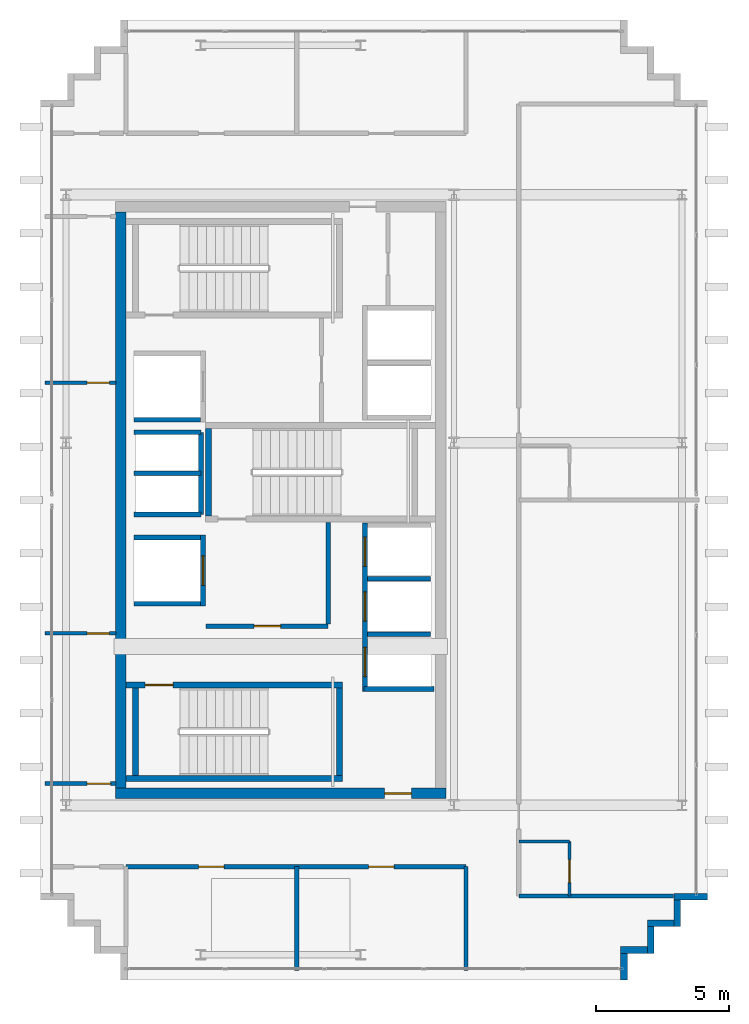
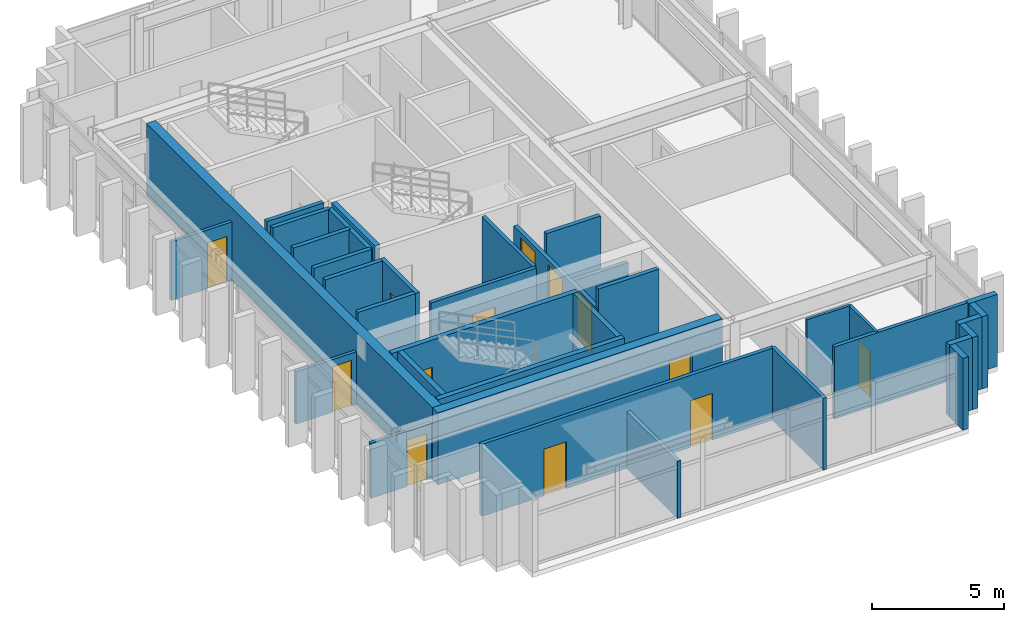
# One storey, part 12 of 15: 36 walls, 13 doors, 13 openings.
"""IFC4 building model written with IfcOpenShell, lengths in metres."""

from ifc_helpers import new_model, si_unit, direction, frame, frame_2d, origin, place, context, subcontext, project, spatial, rectangle, extrude, source, transform, mapped, material, layer, layer_set, type_object, element, fill, save


model = new_model("IFC4")

# Units and contexts
model_context = context("Model", 3, precision=1e-05, world=origin(), true_north=direction((0.0, 1.0)))
body_context = subcontext(model_context, "Body", "Model", "MODEL_VIEW")
ifc_project = project(units=[si_unit("LENGTHUNIT", "METRE"), si_unit("AREAUNIT", "SQUARE_METRE"), si_unit("VOLUMEUNIT", "CUBIC_METRE"), si_unit("PLANEANGLEUNIT", "RADIAN"), si_unit("MASSUNIT", "GRAM", prefix="KILO")], contexts=[model_context])

# Site, building, storey
site_placement = place(None, origin())
site = spatial("IfcSite", under=ifc_project, at=site_placement, CompositionType="ELEMENT")
building_placement = place(site_placement, origin())
building = spatial("IfcBuilding", under=site, at=building_placement, Name="Ocotamira Hotel", CompositionType="ELEMENT")
storey_placement = place(building_placement, frame((0.0, 0.0, 297.60009765625)))
storey = spatial("IfcBuildingStorey", under=building, at=storey_placement, Name="L76", CompositionType="ELEMENT", Elevation=297.60009765625)

# Wall, opening, door
ifc_material_1 = material(Name="Concrete C50/60", Category="concrete")
ifc_layer_1 = layer(ifc_material_1, 0.39990234375)
ifc_layer_set_1 = layer_set([ifc_layer_1], Name="Concrete C50/60")
wall_type_1 = type_object("IfcWallType", Name="WL-CORE-400", PredefinedType="SHEAR", material=ifc_layer_set_1)
wall_1_placement = place(storey_placement, frame((10.800048828125, 15.0, 0.0), z_axis=(0.0, 0.0, 1.0), x_axis=(1.0, 0.0, 0.0)))
wall_1 = element("IfcWall", 1, at=wall_1_placement, inside=storey, type_object=wall_type_1, Name="L76 Shear Core Wall WCORE-S", PredefinedType="SHEAR", context=body_context, shape_type="SweptSolid", body=[
    extrude(rectangle(XDim=12.39990234375, YDim=0.39990234375, at=frame_2d((6.199951171875, 0.0))), origin(), (0.0, 0.0, 1.0), 3.31982421875),
])
opening_1_placement = place(wall_1_placement, frame((10.10009765625, 0.0, 0.0)))
opening_1 = element("IfcOpeningElement", 2, at=opening_1_placement, cuts=wall_1, Name="Opening D-FR2", PredefinedType="OPENING", context=body_context, shape_type="SweptSolid", body=[
    extrude(rectangle(XDim=1.0, YDim=2.14990234375, at=frame_2d((0.5, 1.074951171875))), frame((0.0, 0.2099609375, 0.0), z_axis=(0.0, -1.0, 0.0), x_axis=(1.0, 0.0, 0.0)), (0.0, 0.0, 1.0), 0.419921875),
])
ifc_material_2 = material(Name="Fire-rated acoustic timber-veneer door", Category="wood")
door_type_1 = type_object("IfcDoorType", Name="DR-FIRE-1000", OperationType="NOTDEFINED", PredefinedType="DOOR", material=ifc_material_2)
shared_shape_1 = source(origin(), body_context, "Body", "SweptSolid", [
    extrude(rectangle(XDim=1.0, YDim=2.14990234375, at=frame_2d((0.5, 1.074951171875))), frame((0.0, 0.02490234375, 0.0), z_axis=(0.0, -1.0, 0.0), x_axis=(1.0, 0.0, 0.0)), (0.0, 0.0, 1.0), 0.050048828125),
])
door_1_placement = place(opening_1_placement, origin())
door_1 = element("IfcDoor", 3, at=door_1_placement, inside=storey, type_object=door_type_1, Name="L76 Door ID-L76-WLOB-S-D [ID-L76-WLOB-S-D]", OperationType="SINGLE_SWING_LEFT", OverallHeight=2.14990234375, OverallWidth=1.0, PredefinedType="DOOR", context=body_context, shape_type="MappedRepresentation", body=[
    mapped(shared_shape_1, transform((0.0, 0.0, 0.0), scale=1.0)),
])
fill(opening_1, door_1)

# Walls
wall_2_placement = place(storey_placement, frame((11.0, 15.199951171875, 0.0), z_axis=(0.0, 0.0, 1.0), x_axis=(0.0, 1.0, 0.0)))
element("IfcWall", 4, at=wall_2_placement, inside=storey, type_object=wall_type_1, Name="L76 Shear Core Wall WCORE-W", PredefinedType="SHEAR", context=body_context, shape_type="SweptSolid", body=[
    extrude(rectangle(XDim=21.60009765625, YDim=0.39990234375, at=frame_2d((10.800048828125, 0.0))), origin(), (0.0, 0.0, 1.0), 3.31982421875),
])
ifc_material_3 = material(Name="Precast concrete C45/55", Category="concrete")
ifc_layer_2 = layer(ifc_material_3, 0.25)
ifc_layer_set_2 = layer_set([ifc_layer_2], Name="Precast concrete C45/55")
wall_type_2 = type_object("IfcWallType", Name="WL-EXT-SER-250", PredefinedType="SOLIDWALL", material=ifc_layer_set_2)
for number, where, z_axis, x_axis, name in (
    (5, (29.875, 8.0, 0.0), (0.0, 0.0, 1.0), (0.0, 1.0, 0.0), "L76 Serrated Corner Wall 01"),
    (6, (29.75, 9.125, 0.0), (0.0, 0.0, 1.0), (1.0, 0.0, 0.0), "L76 Serrated Corner Wall 02"),
    (7, (30.875, 9.0, 0.0), (0.0, 0.0, 1.0), (0.0, 1.0, 0.0), "L76 Serrated Corner Wall 03"),
    (8, (30.75, 10.125, 0.0), (0.0, 0.0, 1.0), (1.0, 0.0, 0.0), "L76 Serrated Corner Wall 04"),
    (9, (31.875, 10.0, 0.0), (0.0, 0.0, 1.0), (0.0, 1.0, 0.0), "L76 Serrated Corner Wall 05"),
):
    element("IfcWall", number, at=place(storey_placement, frame(where, z_axis=z_axis, x_axis=x_axis)), inside=storey, type_object=wall_type_2, Name=name, PredefinedType="SOLIDWALL", context=body_context, shape_type="SweptSolid", body=[
        extrude(rectangle(XDim=1.0, YDim=0.25, at=frame_2d((0.5, 0.0))), origin(), (0.0, 0.0, 1.0), 3.31982421875),
    ])
wall_3_placement = place(storey_placement, frame((31.75, 11.125, 0.0), z_axis=(0.0, 0.0, 1.0), x_axis=(1.0, 0.0, 0.0)))
element("IfcWall", 10, at=wall_3_placement, inside=storey, type_object=wall_type_2, Name="L76 Serrated Corner Wall 06", PredefinedType="SOLIDWALL", context=body_context, shape_type="SweptSolid", body=[
    extrude(rectangle(XDim=1.25, YDim=0.25, at=frame_2d((0.625, 0.0))), origin(), (0.0, 0.0, 1.0), 3.31982421875),
])

# Wall, opening, door
ifc_material_4 = material(Name="Acoustic double-layer fire gypsum board partition", Category="gypsum")
ifc_layer_3 = layer(ifc_material_4, 0.159912109375)
ifc_layer_set_3 = layer_set([ifc_layer_3], Name="Acoustic double-layer fire gypsum board partition")
wall_type_3 = type_object("IfcWallType", Name="WL-FIRE-160", PredefinedType="PARTITIONING", material=ifc_layer_set_3)
wall_4_placement = place(storey_placement, frame((14.199951171875, 21.27001953125, 0.0), z_axis=(0.0, 0.0, 1.0), x_axis=(1.0, 0.0, 0.0)))
wall_4 = element("IfcWall", 11, at=wall_4_placement, inside=storey, type_object=wall_type_3, Name="L76 Interior Wall PW-L76-FSAE1-S", PredefinedType="PARTITIONING", context=body_context, shape_type="SweptSolid", body=[
    extrude(rectangle(XDim=4.580078125, YDim=0.159912109375, at=frame_2d((2.2900390625, 0.0))), origin(), (0.0, 0.0, 1.0), 3.31982421875),
])
opening_2_placement = place(wall_4_placement, frame((1.800048828125, 0.0, 0.0)))
opening_2 = element("IfcOpeningElement", 12, at=opening_2_placement, cuts=wall_4, Name="Opening D-FR2", PredefinedType="OPENING", context=body_context, shape_type="SweptSolid", body=[
    extrude(rectangle(XDim=1.0, YDim=2.14990234375, at=frame_2d((0.5, 1.074951171875))), frame((0.0, 0.08984375, 0.0), z_axis=(0.0, -1.0, 0.0), x_axis=(1.0, 0.0, 0.0)), (0.0, 0.0, 1.0), 0.179931640625),
])
door_2_placement = place(opening_2_placement, origin())
door_2 = element("IfcDoor", 13, at=door_2_placement, inside=storey, type_object=door_type_1, Name="L76 Door ID-L76-FSAE1-D [ID-L76-FSAE1-D]", OperationType="SINGLE_SWING_LEFT", OverallHeight=2.14990234375, OverallWidth=1.0, PredefinedType="DOOR", context=body_context, shape_type="MappedRepresentation", body=[
    mapped(shared_shape_1, transform((0.0, 0.0, 0.0), scale=1.0)),
])
fill(opening_2, door_2)

# Wall
wall_5_placement = place(storey_placement, frame((18.780029296875, 21.35009765625, 0.0), z_axis=(0.0, 0.0, 1.0), x_axis=(0.0, 1.0, 0.0)))
element("IfcWall", 14, at=wall_5_placement, inside=storey, type_object=wall_type_3, Name="L76 Interior Wall PW-L76-FSAE1-E", PredefinedType="PARTITIONING", context=body_context, shape_type="SweptSolid", body=[
    extrude(rectangle(XDim=3.809814453125, YDim=0.159912109375, at=frame_2d((1.90478515625, 0.0))), origin(), (0.0, 0.0, 1.0), 3.31982421875),
])

# Wall, openings, doors
wall_6_placement = place(storey_placement, frame((11.199951171875, 12.25, 0.0), z_axis=(0.0, 0.0, 1.0), x_axis=(1.0, 0.0, 0.0)))
wall_6 = element("IfcWall", 15, at=wall_6_placement, inside=storey, type_object=wall_type_3, Name="L76 Interior Wall PW-L76-WP2S-CORRW", PredefinedType="PARTITIONING", context=body_context, shape_type="SweptSolid", body=[
    extrude(rectangle(XDim=12.75, YDim=0.159912109375, at=frame_2d((6.375, 0.0))), origin(), (0.0, 0.0, 1.0), 3.31982421875),
])
opening_3_placement = place(wall_6_placement, frame((2.719970703125, 0.0, 0.0)))
opening_3 = element("IfcOpeningElement", 16, at=opening_3_placement, cuts=wall_6, Name="Opening D-SV4", PredefinedType="OPENING", context=body_context, shape_type="SweptSolid", body=[
    extrude(rectangle(XDim=0.9599609375, YDim=2.14990234375, at=frame_2d((0.47998046875, 1.074951171875))), frame((0.0, 0.08984375, 0.0), z_axis=(0.0, -1.0, 0.0), x_axis=(1.0, 0.0, 0.0)), (0.0, 0.0, 1.0), 0.179931640625),
])
opening_4_placement = place(wall_6_placement, frame((9.094970703125, 0.0, 0.0)))
opening_4 = element("IfcOpeningElement", 17, at=opening_4_placement, cuts=wall_6, Name="Opening D-SV4", PredefinedType="OPENING", context=body_context, shape_type="SweptSolid", body=[
    extrude(rectangle(XDim=0.9599609375, YDim=2.14990234375, at=frame_2d((0.47998046875, 1.074951171875))), frame((0.0, 0.08984375, 0.0), z_axis=(0.0, -1.0, 0.0), x_axis=(1.0, 0.0, 0.0)), (0.0, 0.0, 1.0), 0.179931640625),
])
ifc_material_5 = material(Name="Fire-rated accessible walnut salon door", Category="wood")
door_type_2 = type_object("IfcDoorType", Name="DR-SERV-960", OperationType="NOTDEFINED", PredefinedType="DOOR", material=ifc_material_5)
shared_shape_2 = source(origin(), body_context, "Body", "SweptSolid", [
    extrude(rectangle(XDim=0.9599609375, YDim=2.14990234375, at=frame_2d((0.47998046875, 1.074951171875))), frame((0.0, 0.02490234375, 0.0), z_axis=(0.0, -1.0, 0.0), x_axis=(1.0, 0.0, 0.0)), (0.0, 0.0, 1.0), 0.050048828125),
])
door_3_placement = place(opening_3_placement, origin())
door_3 = element("IfcDoor", 18, at=door_3_placement, inside=storey, type_object=door_type_2, Name="L76 Door ID-L76-WP2S-AMD1 [ID-L76-WP2S-AMD1]", OperationType="SINGLE_SWING_LEFT", OverallHeight=2.14990234375, OverallWidth=0.9599609375, PredefinedType="DOOR", context=body_context, shape_type="MappedRepresentation", body=[
    mapped(shared_shape_2, transform((0.0, 0.0, 0.0), scale=1.0)),
])
fill(opening_3, door_3)
door_4_placement = place(opening_4_placement, origin())
door_4 = element("IfcDoor", 19, at=door_4_placement, inside=storey, type_object=door_type_2, Name="L76 Door ID-L76-WP2S-AMD2 [ID-L76-WP2S-AMD2]", OperationType="SINGLE_SWING_RIGHT", OverallHeight=2.14990234375, OverallWidth=0.9599609375, PredefinedType="DOOR", context=body_context, shape_type="MappedRepresentation", body=[
    mapped(shared_shape_2, transform((0.0, 0.0, 0.0), scale=1.0)),
])
fill(opening_4, door_4)

# Wall, opening, door
ifc_material_6 = material(Name="Moisture-resistant en-suite tile and gypsum partition", Category="gypsum")
ifc_layer_4 = layer(ifc_material_6, 0.1201171875)
ifc_layer_set_4 = layer_set([ifc_layer_4], Name="Moisture-resistant en-suite tile and gypsum partition")
wall_type_4 = type_object("IfcWallType", Name="WL-PART-120", PredefinedType="PARTITIONING", material=ifc_layer_set_4)
wall_7_placement = place(storey_placement, frame((27.830078125, 11.14990234375, 0.0), z_axis=(0.0, 0.0, 1.0), x_axis=(0.0, 1.0, 0.0)))
wall_7 = element("IfcWall", 20, at=wall_7_placement, inside=storey, type_object=wall_type_4, Name="L76 Interior Wall PW-L76-WP-EBE1", PredefinedType="PARTITIONING", context=body_context, shape_type="SweptSolid", body=[
    extrude(rectangle(XDim=2.0400390625, YDim=0.1201171875, at=frame_2d((1.02001953125, 0.0))), origin(), (0.0, 0.0, 1.0), 3.31982421875),
])
opening_5_placement = place(wall_7_placement, frame((0.5, 0.0, 0.0)))
opening_5 = element("IfcOpeningElement", 21, at=opening_5_placement, cuts=wall_7, Name="Opening D-BA1", PredefinedType="OPENING", context=body_context, shape_type="SweptSolid", body=[
    extrude(rectangle(XDim=0.860107421875, YDim=2.10009765625, at=frame_2d((0.43017578125, 1.050048828125))), frame((0.0, 0.070068359375, 0.0), z_axis=(0.0, -1.0, 0.0), x_axis=(1.0, 0.0, 0.0)), (0.0, 0.0, 1.0), 0.14013671875),
])
ifc_material_7 = material(Name="Moisture-sealed en-suite timber door", Category="wood")
door_type_3 = type_object("IfcDoorType", Name="DR-BATH-860", OperationType="NOTDEFINED", PredefinedType="DOOR", material=ifc_material_7)
shared_shape_3 = source(origin(), body_context, "Body", "SweptSolid", [
    extrude(rectangle(XDim=0.860107421875, YDim=2.10009765625, at=frame_2d((0.43017578125, 1.050048828125))), frame((0.0, 0.02490234375, 0.0), z_axis=(0.0, -1.0, 0.0), x_axis=(1.0, 0.0, 0.0)), (0.0, 0.0, 1.0), 0.050048828125),
])
door_5_placement = place(opening_5_placement, origin())
door_5 = element("IfcDoor", 22, at=door_5_placement, inside=storey, type_object=door_type_3, Name="L76 Door ID-L76-WP-EBD1 [ID-L76-WP-EBD1]", OperationType="SINGLE_SWING_LEFT", OverallHeight=2.10009765625, OverallWidth=0.860107421875, PredefinedType="DOOR", context=body_context, shape_type="MappedRepresentation", body=[
    mapped(shared_shape_3, transform((0.0, 0.0, 0.0), scale=1.0)),
])
fill(opening_5, door_5)

# Wall
wall_8_placement = place(storey_placement, frame((25.929931640625, 13.18994140625, 0.0), z_axis=(0.0, 0.0, 1.0), x_axis=(1.0, 0.0, 0.0)))
element("IfcWall", 23, at=wall_8_placement, inside=storey, type_object=wall_type_4, Name="L76 Interior Wall PW-L76-WP-EBN1", PredefinedType="PARTITIONING", context=body_context, shape_type="SweptSolid", body=[
    extrude(rectangle(XDim=1.900146484375, YDim=0.1201171875, at=frame_2d((0.9501953125, 0.0))), origin(), (0.0, 0.0, 1.0), 3.31982421875),
])

# Wall, opening, door
ifc_material_8 = material(Name="Acoustic hospitality gypsum board partition", Category="gypsum")
ifc_layer_5 = layer(ifc_material_8, 0.14208984375)
ifc_layer_set_5 = layer_set([ifc_layer_5], Name="Acoustic hospitality gypsum board partition")
wall_type_5 = type_object("IfcWallType", Name="WL-PART-142", PredefinedType="PARTITIONING", material=ifc_layer_set_5)
wall_9_placement = place(storey_placement, frame((8.159912109375, 21.0, 0.0), z_axis=(0.0, 0.0, 1.0), x_axis=(1.0, 0.0, 0.0)))
wall_9 = element("IfcWall", 24, at=wall_9_placement, inside=storey, type_object=wall_type_5, Name="L76 Interior Wall PW-L76-WP2W-DV1", PredefinedType="PARTITIONING", context=body_context, shape_type="SweptSolid", body=[
    extrude(rectangle(XDim=2.66015625, YDim=0.14208984375, at=frame_2d((1.330078125, 0.0))), origin(), (0.0, 0.0, 1.0), 2.419921875),
])
opening_6_placement = place(wall_9_placement, frame((1.580078125, 0.0, 0.0)))
opening_6 = element("IfcOpeningElement", 25, at=opening_6_placement, cuts=wall_9, Name="Opening D-SV1", PredefinedType="OPENING", context=body_context, shape_type="SweptSolid", body=[
    extrude(rectangle(XDim=0.840087890625, YDim=2.10009765625, at=frame_2d((0.419921875, 1.050048828125))), frame((0.0, 0.0810546875, 0.0), z_axis=(0.0, -1.0, 0.0), x_axis=(1.0, 0.0, 0.0)), (0.0, 0.0, 1.0), 0.162109375),
])
ifc_material_9 = material(Name="Fire-rated painted steel service door", Category="steel")
door_type_4 = type_object("IfcDoorType", Name="DR-SERV-840", OperationType="NOTDEFINED", PredefinedType="DOOR", material=ifc_material_9)
shared_shape_4 = source(origin(), body_context, "Body", "SweptSolid", [
    extrude(rectangle(XDim=0.840087890625, YDim=2.10009765625, at=frame_2d((0.419921875, 1.050048828125))), frame((0.0, 0.02490234375, 0.0), z_axis=(0.0, -1.0, 0.0), x_axis=(1.0, 0.0, 0.0)), (0.0, 0.0, 1.0), 0.050048828125),
])
door_6_placement = place(opening_6_placement, origin())
door_6 = element("IfcDoor", 26, at=door_6_placement, inside=storey, type_object=door_type_4, Name="L76 Door ID-L76-WP2W-DV1D [ID-L76-WP2W-DV1D]", OperationType="SINGLE_SWING_LEFT", OverallHeight=2.10009765625, OverallWidth=0.840087890625, PredefinedType="DOOR", context=body_context, shape_type="MappedRepresentation", body=[
    mapped(shared_shape_4, transform((0.0, 0.0, 0.0), scale=1.0)),
])
fill(opening_6, door_6)

wall_10_placement = place(storey_placement, frame((8.159912109375, 30.39990234375, 0.0), z_axis=(0.0, 0.0, 1.0), x_axis=(1.0, 0.0, 0.0)))
wall_10 = element("IfcWall", 27, at=wall_10_placement, inside=storey, type_object=wall_type_5, Name="L76 Interior Wall PW-L76-WP2W-DV2", PredefinedType="PARTITIONING", context=body_context, shape_type="SweptSolid", body=[
    extrude(rectangle(XDim=2.66015625, YDim=0.14208984375, at=frame_2d((1.330078125, 0.0))), origin(), (0.0, 0.0, 1.0), 2.702880859375),
])
opening_7_placement = place(wall_10_placement, frame((1.580078125, 0.0, 0.0)))
opening_7 = element("IfcOpeningElement", 28, at=opening_7_placement, cuts=wall_10, Name="Opening D-SV1", PredefinedType="OPENING", context=body_context, shape_type="SweptSolid", body=[
    extrude(rectangle(XDim=0.840087890625, YDim=2.10009765625, at=frame_2d((0.419921875, 1.050048828125))), frame((0.0, 0.0810546875, 0.0), z_axis=(0.0, -1.0, 0.0), x_axis=(1.0, 0.0, 0.0)), (0.0, 0.0, 1.0), 0.162109375),
])
door_7_placement = place(opening_7_placement, origin())
door_7 = element("IfcDoor", 29, at=door_7_placement, inside=storey, type_object=door_type_4, Name="L76 Door ID-L76-WP2W-DV2D [ID-L76-WP2W-DV2D]", OperationType="SINGLE_SWING_RIGHT", OverallHeight=2.10009765625, OverallWidth=0.840087890625, PredefinedType="DOOR", context=body_context, shape_type="MappedRepresentation", body=[
    mapped(shared_shape_4, transform((0.0, 0.0, 0.0), scale=1.0)),
])
fill(opening_7, door_7)

ifc_layer_6 = layer(ifc_material_8, 0.14990234375)
ifc_layer_set_6 = layer_set([ifc_layer_6], Name="Acoustic hospitality gypsum board partition")
wall_type_6 = type_object("IfcWallType", Name="WL-PART-150", PredefinedType="PARTITIONING", material=ifc_layer_set_6)
wall_11_placement = place(storey_placement, frame((8.159912109375, 15.360107421875, 0.0), z_axis=(0.0, 0.0, 1.0), x_axis=(1.0, 0.0, 0.0)))
wall_11 = element("IfcWall", 30, at=wall_11_placement, inside=storey, type_object=wall_type_6, Name="L76 Interior Wall PW-L76-WP2W-WS", PredefinedType="PARTITIONING", context=body_context, shape_type="SweptSolid", body=[
    extrude(rectangle(XDim=2.66015625, YDim=0.14990234375, at=frame_2d((1.330078125, 0.0))), origin(), (0.0, 0.0, 1.0), 2.541015625),
])
opening_8_placement = place(wall_11_placement, frame((1.580078125, 0.0, 0.0)))
opening_8 = element("IfcOpeningElement", 31, at=opening_8_placement, cuts=wall_11, Name="Opening D-SV2", PredefinedType="OPENING", context=body_context, shape_type="SweptSolid", body=[
    extrude(rectangle(XDim=0.8798828125, YDim=2.14990234375, at=frame_2d((0.43994140625, 1.074951171875))), frame((0.0, 0.0849609375, 0.0), z_axis=(0.0, -1.0, 0.0), x_axis=(1.0, 0.0, 0.0)), (0.0, 0.0, 1.0), 0.169921875),
])
door_type_5 = type_object("IfcDoorType", Name="DR-SERV-880", OperationType="NOTDEFINED", PredefinedType="DOOR", material=ifc_material_9)
shared_shape_5 = source(origin(), body_context, "Body", "SweptSolid", [
    extrude(rectangle(XDim=0.8798828125, YDim=2.14990234375, at=frame_2d((0.43994140625, 1.074951171875))), frame((0.0, 0.02490234375, 0.0), z_axis=(0.0, -1.0, 0.0), x_axis=(1.0, 0.0, 0.0)), (0.0, 0.0, 1.0), 0.050048828125),
])
door_8_placement = place(opening_8_placement, origin())
door_8 = element("IfcDoor", 32, at=door_8_placement, inside=storey, type_object=door_type_5, Name="L76 Door ID-L76-WP2W-DS [ID-L76-WP2W-DS]", OperationType="SINGLE_SWING_LEFT", OverallHeight=2.14990234375, OverallWidth=0.8798828125, PredefinedType="DOOR", context=body_context, shape_type="MappedRepresentation", body=[
    mapped(shared_shape_5, transform((0.0, 0.0, 0.0), scale=1.0)),
])
fill(opening_8, door_8)

# Walls
ifc_material_10 = material(Name="Acoustic double-stud hospitality gypsum partition", Category="gypsum")
ifc_layer_7 = layer(ifc_material_10, 0.159912109375)
ifc_layer_set_7 = layer_set([ifc_layer_7], Name="Acoustic double-stud hospitality gypsum partition")
wall_type_7 = type_object("IfcWallType", Name="WL-PART-160", PredefinedType="PARTITIONING", material=ifc_layer_set_7)
wall_12_placement = place(storey_placement, frame((23.949951171875, 8.360107421875, 0.0), z_axis=(0.0, 0.0, 1.0), x_axis=(0.0, 1.0, 0.0)))
element("IfcWall", 33, at=wall_12_placement, inside=storey, type_object=wall_type_7, Name="L76 Interior Wall PW-L76-WP2S-PWEND", PredefinedType="PARTITIONING", context=body_context, shape_type="SweptSolid", body=[
    extrude(rectangle(XDim=3.889892578125, YDim=0.159912109375, at=frame_2d((1.94482421875, 0.0))), origin(), (0.0, 0.0, 1.0), 3.31982421875),
])
wall_13_placement = place(storey_placement, frame((17.60009765625, 8.360107421875, 0.0), z_axis=(0.0, 0.0, 1.0), x_axis=(0.0, 1.0, 0.0)))
element("IfcWall", 34, at=wall_13_placement, inside=storey, type_object=wall_type_7, Name="L76 Interior Wall PW-L76-WP2S-PW1", PredefinedType="PARTITIONING", context=body_context, shape_type="SweptSolid", body=[
    extrude(rectangle(XDim=3.889892578125, YDim=0.159912109375, at=frame_2d((1.94482421875, 0.0))), origin(), (0.0, 0.0, 1.0), 2.626953125),
])
wall_14_placement = place(storey_placement, frame((25.929931640625, 11.14990234375, 0.0), z_axis=(0.0, 0.0, 1.0), x_axis=(1.0, 0.0, 0.0)))
element("IfcWall", 35, at=wall_14_placement, inside=storey, type_object=wall_type_7, Name="L76 Interior Wall PW-L76-WP-EDIV0", PredefinedType="PARTITIONING", context=body_context, shape_type="SweptSolid", body=[
    extrude(rectangle(XDim=5.81005859375, YDim=0.159912109375, at=frame_2d((2.905029296875, 0.0))), origin(), (0.0, 0.0, 1.0), 3.31982421875),
])

# Wall, openings, doors
ifc_material_11 = material(Name="Fire-rated gypsum shaftliner board assembly", Category="gypsum")
ifc_layer_8 = layer(ifc_material_11, 0.179931640625)
ifc_layer_set_8 = layer_set([ifc_layer_8], Name="Fire-rated gypsum shaftliner board assembly")
wall_type_8 = type_object("IfcWallType", Name="WL-SHAFT-180", PredefinedType="SOLIDWALL", material=ifc_layer_set_8)
wall_15_placement = place(storey_placement, frame((20.159912109375, 18.820068359375, 0.0), z_axis=(0.0, 0.0, 1.0), x_axis=(0.0, 1.0, 0.0)))
wall_15 = element("IfcWall", 36, at=wall_15_placement, inside=storey, type_object=wall_type_8, Name="L76 Interior Wall PW-L76-LFW-BANK-high-F", PredefinedType="SOLIDWALL", context=body_context, shape_type="SweptSolid", body=[
    extrude(rectangle(XDim=6.31982421875, YDim=0.179931640625, at=frame_2d((3.159912109375, 0.0))), origin(), (0.0, 0.0, 1.0), 2.419921875),
])
opening_9_placement = place(wall_15_placement, frame((0.554931640625, 0.0, 0.0)))
opening_9 = element("IfcOpeningElement", 37, at=opening_9_placement, cuts=wall_15, Name="Opening LD-LF-P7", PredefinedType="OPENING", context=body_context, shape_type="SweptSolid", body=[
    extrude(rectangle(XDim=1.10009765625, YDim=2.199951171875, at=frame_2d((0.550048828125, 1.10009765625))), frame((0.0, 0.10009765625, 0.0), z_axis=(0.0, -1.0, 0.0), x_axis=(1.0, 0.0, 0.0)), (0.0, 0.0, 1.0), 0.199951171875),
])
opening_10_placement = place(wall_15_placement, frame((2.635009765625, 0.0, 0.0)))
opening_10 = element("IfcOpeningElement", 38, at=opening_10_placement, cuts=wall_15, Name="Opening LD-LF-P8", PredefinedType="OPENING", context=body_context, shape_type="SweptSolid", body=[
    extrude(rectangle(XDim=1.10009765625, YDim=2.199951171875, at=frame_2d((0.550048828125, 1.10009765625))), frame((0.0, 0.10009765625, 0.0), z_axis=(0.0, -1.0, 0.0), x_axis=(1.0, 0.0, 0.0)), (0.0, 0.0, 1.0), 0.199951171875),
])
opening_11_placement = place(wall_15_placement, frame((4.68994140625, 0.0, 0.0)))
opening_11 = element("IfcOpeningElement", 39, at=opening_11_placement, cuts=wall_15, Name="Opening LD-LF-P9", PredefinedType="OPENING", context=body_context, shape_type="SweptSolid", body=[
    extrude(rectangle(XDim=1.10009765625, YDim=2.199951171875, at=frame_2d((0.550048828125, 1.10009765625))), frame((0.0, 0.10009765625, 0.0), z_axis=(0.0, -1.0, 0.0), x_axis=(1.0, 0.0, 0.0)), (0.0, 0.0, 1.0), 0.199951171875),
])
ifc_material_12 = material(Name="Brushed pale-metal stainless elevator landing door", Category="steel")
door_type_6 = type_object("IfcDoorType", Name="DR-LIFT-1100", OperationType="NOTDEFINED", PredefinedType="DOOR", material=ifc_material_12)
shared_shape_6 = source(origin(), body_context, "Body", "SweptSolid", [
    extrude(rectangle(XDim=1.10009765625, YDim=2.199951171875, at=frame_2d((0.550048828125, 1.10009765625))), frame((0.0, 0.02490234375, 0.0), z_axis=(0.0, -1.0, 0.0), x_axis=(1.0, 0.0, 0.0)), (0.0, 0.0, 1.0), 0.050048828125),
])
door_9_placement = place(opening_9_placement, origin())
door_9 = element("IfcDoor", 40, at=door_9_placement, inside=storey, type_object=door_type_6, Name="L76 Landing Door LD-LF-P7 [ID-L76-LD-LF-P7]", OperationType="DOUBLE_DOOR_SLIDING", OverallHeight=2.199951171875, OverallWidth=1.10009765625, PredefinedType="DOOR", context=body_context, shape_type="MappedRepresentation", body=[
    mapped(shared_shape_6, transform((0.0, 0.0, 0.0), scale=1.0)),
])
fill(opening_9, door_9)
door_10_placement = place(opening_10_placement, origin())
door_10 = element("IfcDoor", 41, at=door_10_placement, inside=storey, type_object=door_type_6, Name="L76 Landing Door LD-LF-P8 [ID-L76-LD-LF-P8]", OperationType="DOUBLE_DOOR_SLIDING", OverallHeight=2.199951171875, OverallWidth=1.10009765625, PredefinedType="DOOR", context=body_context, shape_type="MappedRepresentation", body=[
    mapped(shared_shape_6, transform((0.0, 0.0, 0.0), scale=1.0)),
])
fill(opening_10, door_10)
door_11_placement = place(opening_11_placement, origin())
door_11 = element("IfcDoor", 42, at=door_11_placement, inside=storey, type_object=door_type_6, Name="L76 Landing Door LD-LF-P9 [ID-L76-LD-LF-P9]", OperationType="DOUBLE_DOOR_SLIDING", OverallHeight=2.199951171875, OverallWidth=1.10009765625, PredefinedType="DOOR", context=body_context, shape_type="MappedRepresentation", body=[
    mapped(shared_shape_6, transform((0.0, 0.0, 0.0), scale=1.0)),
])
fill(opening_11, door_11)

# Walls
wall_16_placement = place(storey_placement, frame((20.1201171875, 18.909912109375, 0.0), z_axis=(0.0, 0.0, 1.0), x_axis=(1.0, 0.0, 0.0)))
element("IfcWall", 43, at=wall_16_placement, inside=storey, type_object=wall_type_8, Name="L76 Interior Wall PW-L76-LFW-BANK-high-S", PredefinedType="SOLIDWALL", context=body_context, shape_type="SweptSolid", body=[
    extrude(rectangle(XDim=2.6298828125, YDim=0.179931640625, at=frame_2d((1.31494140625, 0.0))), origin(), (0.0, 0.0, 1.0), 3.31982421875),
])
wall_17_placement = place(storey_placement, frame((20.25, 20.965087890625, 0.0), z_axis=(0.0, 0.0, 1.0), x_axis=(1.0, 0.0, 0.0)))
element("IfcWall", 44, at=wall_17_placement, inside=storey, type_object=wall_type_8, Name="L76 Interior Wall PW-L76-LFW-DIV-LF-P7", PredefinedType="SOLIDWALL", context=body_context, shape_type="SweptSolid", body=[
    extrude(rectangle(XDim=2.360107421875, YDim=0.179931640625, at=frame_2d((1.18017578125, 0.0))), origin(), (0.0, 0.0, 1.0), 2.419921875),
])
wall_18_placement = place(storey_placement, frame((20.25, 23.044921875, 0.0), z_axis=(0.0, 0.0, 1.0), x_axis=(1.0, 0.0, 0.0)))
element("IfcWall", 45, at=wall_18_placement, inside=storey, type_object=wall_type_8, Name="L76 Interior Wall PW-L76-LFW-DIV-LF-P8", PredefinedType="SOLIDWALL", context=body_context, shape_type="SweptSolid", body=[
    extrude(rectangle(XDim=2.360107421875, YDim=0.179931640625, at=frame_2d((1.18017578125, 0.0))), origin(), (0.0, 0.0, 1.0), 3.31982421875),
])
for number, where, z_axis, x_axis, name in (
    (46, (11.5, 22.110107421875, 0.0), (0.0, 0.0, 1.0), (1.0, 0.0, 0.0), "L76 Interior Wall PW-L76-LFW-LF-FSAE1-S"),
    (47, (11.5, 24.590087890625, 0.0), (0.0, 0.0, 1.0), (1.0, 0.0, 0.0), "L76 Interior Wall PW-L76-LFW-LF-FSAE1-N"),
):
    element("IfcWall", number, at=place(storey_placement, frame(where, z_axis=z_axis, x_axis=x_axis)), inside=storey, type_object=wall_type_8, Name=name, PredefinedType="SOLIDWALL", context=body_context, shape_type="SweptSolid", body=[
        extrude(rectangle(XDim=2.5, YDim=0.179931640625, at=frame_2d((1.25, 0.0))), origin(), (0.0, 0.0, 1.0), 3.31982421875),
    ])

# Wall, opening, door
wall_19_placement = place(storey_placement, frame((14.090087890625, 22.02001953125, 0.0), z_axis=(0.0, 0.0, 1.0), x_axis=(0.0, 1.0, 0.0)))
wall_19 = element("IfcWall", 48, at=wall_19_placement, inside=storey, type_object=wall_type_8, Name="L76 Interior Wall PW-L76-LFW-LF-FSAE1-E", PredefinedType="SOLIDWALL", context=body_context, shape_type="SweptSolid", body=[
    extrude(rectangle(XDim=2.659912109375, YDim=0.179931640625, at=frame_2d((1.330078125, 0.0))), origin(), (0.0, 0.0, 1.0), 3.31982421875),
])
opening_12_placement = place(wall_19_placement, frame((0.780029296875, 0.0, 0.0)))
opening_12 = element("IfcOpeningElement", 49, at=opening_12_placement, cuts=wall_19, Name="Opening LD-LF-FSAE1", PredefinedType="OPENING", context=body_context, shape_type="SweptSolid", body=[
    extrude(rectangle(XDim=1.10009765625, YDim=2.199951171875, at=frame_2d((0.550048828125, 1.10009765625))), frame((0.0, 0.10009765625, 0.0), z_axis=(0.0, -1.0, 0.0), x_axis=(1.0, 0.0, 0.0)), (0.0, 0.0, 1.0), 0.199951171875),
])
door_12_placement = place(opening_12_placement, origin())
door_12 = element("IfcDoor", 50, at=door_12_placement, inside=storey, type_object=door_type_6, Name="L76 Landing Door LD-LF-FSAE1 [ID-L76-LD-LF-FSAE1]", OperationType="DOUBLE_DOOR_SLIDING", OverallHeight=2.199951171875, OverallWidth=1.10009765625, PredefinedType="DOOR", context=body_context, shape_type="MappedRepresentation", body=[
    mapped(shared_shape_6, transform((0.0, 0.0, 0.0), scale=1.0)),
])
fill(opening_12, door_12)

# Walls
wall_20_placement = place(storey_placement, frame((11.5, 29.010009765625, 0.0), z_axis=(0.0, 0.0, 1.0), x_axis=(1.0, 0.0, 0.0)))
element("IfcWall", 51, at=wall_20_placement, inside=storey, type_object=wall_type_8, Name="L76 Interior Wall PW-L76-LFW-LF-FSAE2-S", PredefinedType="SOLIDWALL", context=body_context, shape_type="SweptSolid", body=[
    extrude(rectangle(XDim=2.5, YDim=0.179931640625, at=frame_2d((1.25, 0.0))), origin(), (0.0, 0.0, 1.0), 3.31982421875),
])
for number, where, z_axis, x_axis, name in (
    (52, (11.5, 25.4599609375, 0.0), (0.0, 0.0, 1.0), (1.0, 0.0, 0.0), "L76 Interior Wall PW-L76-RSW-S"),
    (53, (11.5, 27.0, 0.0), (0.0, 0.0, 1.0), (1.0, 0.0, 0.0), "L76 Interior Wall PW-L76-RSW-MID"),
    (54, (11.5, 28.5400390625, 0.0), (0.0, 0.0, 1.0), (1.0, 0.0, 0.0), "L76 Interior Wall PW-L76-RSW-N"),
):
    element("IfcWall", number, at=place(storey_placement, frame(where, z_axis=z_axis, x_axis=x_axis)), inside=storey, type_object=wall_type_8, Name=name, PredefinedType="SOLIDWALL", context=body_context, shape_type="SweptSolid", body=[
        extrude(rectangle(XDim=2.510009765625, YDim=0.179931640625, at=frame_2d((1.2548828125, 0.0))), origin(), (0.0, 0.0, 1.0), 3.31982421875),
    ])
wall_21_placement = place(storey_placement, frame((14.010009765625, 25.4599609375, 0.0), z_axis=(0.0, 0.0, 1.0), x_axis=(0.0, 1.0, 0.0)))
element("IfcWall", 55, at=wall_21_placement, inside=storey, type_object=wall_type_8, Name="L76 Interior Wall PW-L76-RSW-E", PredefinedType="SOLIDWALL", context=body_context, shape_type="SweptSolid", body=[
    extrude(rectangle(XDim=3.080078125, YDim=0.179931640625, at=frame_2d((1.5400390625, 0.0))), origin(), (0.0, 0.0, 1.0), 3.31982421875),
])
ifc_layer_9 = layer(ifc_material_1, 0.219970703125)
ifc_layer_set_9 = layer_set([ifc_layer_9], Name="Concrete C50/60")
wall_type_9 = type_object("IfcWallType", Name="WL-STAIR-220", PredefinedType="SHEAR", material=ifc_layer_set_9)
wall_22_placement = place(storey_placement, frame((11.199951171875, 15.56005859375, 0.0), z_axis=(0.0, 0.0, 1.0), x_axis=(1.0, 0.0, 0.0)))
element("IfcWall", 56, at=wall_22_placement, inside=storey, type_object=wall_type_9, Name="L76 Stair Shaft Structural Wall ST-1-S", PredefinedType="SHEAR", context=body_context, shape_type="SweptSolid", body=[
    extrude(rectangle(XDim=8.110107421875, YDim=0.219970703125, at=frame_2d((4.05517578125, 0.0))), origin(), (0.0, 0.0, 1.0), 3.39990234375),
])

# Wall, opening, door
wall_23_placement = place(storey_placement, frame((11.199951171875, 19.06005859375, 0.0), z_axis=(0.0, 0.0, 1.0), x_axis=(1.0, 0.0, 0.0)))
wall_23 = element("IfcWall", 57, at=wall_23_placement, inside=storey, type_object=wall_type_9, Name="L76 Stair Shaft Structural Wall ST-1-N", PredefinedType="SHEAR", context=body_context, shape_type="SweptSolid", body=[
    extrude(rectangle(XDim=8.110107421875, YDim=0.219970703125, at=frame_2d((4.05517578125, 0.0))), origin(), (0.0, 0.0, 1.0), 3.39990234375),
])
opening_13_placement = place(wall_23_placement, frame((0.719970703125, 0.0, 0.0)))
opening_13 = element("IfcOpeningElement", 58, at=opening_13_placement, cuts=wall_23, Name="Opening D-ST2", PredefinedType="OPENING", context=body_context, shape_type="SweptSolid", body=[
    extrude(rectangle(XDim=1.050048828125, YDim=2.14990234375, at=frame_2d((0.52490234375, 1.074951171875))), frame((0.0, 0.1201171875, 0.0), z_axis=(0.0, -1.0, 0.0), x_axis=(1.0, 0.0, 0.0)), (0.0, 0.0, 1.0), 0.239990234375),
])
ifc_material_13 = material(Name="Insulated painted hollow-metal fire exit door", Category="steel")
door_type_7 = type_object("IfcDoorType", Name="DR-STAIR-1050", OperationType="NOTDEFINED", PredefinedType="DOOR", material=ifc_material_13)
shared_shape_7 = source(origin(), body_context, "Body", "SweptSolid", [
    extrude(rectangle(XDim=1.050048828125, YDim=2.14990234375, at=frame_2d((0.52490234375, 1.074951171875))), frame((0.0, 0.02490234375, 0.0), z_axis=(0.0, -1.0, 0.0), x_axis=(1.0, 0.0, 0.0)), (0.0, 0.0, 1.0), 0.050048828125),
])
door_13_placement = place(opening_13_placement, origin())
door_13 = element("IfcDoor", 59, at=door_13_placement, inside=storey, type_object=door_type_7, Name="L76 Door ID-L76-STD-ST-1 [ID-L76-STD-ST-1]", OperationType="SINGLE_SWING_LEFT", OverallHeight=2.14990234375, OverallWidth=1.050048828125, PredefinedType="DOOR", context=body_context, shape_type="MappedRepresentation", body=[
    mapped(shared_shape_7, transform((0.0, 0.0, 0.0), scale=1.0)),
])
fill(opening_13, door_13)

# Walls
for number, where, z_axis, x_axis, name in (
    (60, (11.56005859375, 15.669921875, 0.0), (0.0, 0.0, 1.0), (0.0, 1.0, 0.0), "L76 Stair Shaft Structural Wall ST-1-W"),
    (61, (19.199951171875, 15.669921875, 0.0), (0.0, 0.0, 1.0), (0.0, 1.0, 0.0), "L76 Stair Shaft Structural Wall ST-1-E"),
    (62, (14.2900390625, 25.39990234375, 0.0), (0.0, 0.0, 1.0), (0.0, 1.0, 0.0), "L76 Stair Shaft Structural Wall ST-3-W"),
):
    element("IfcWall", number, at=place(storey_placement, frame(where, z_axis=z_axis, x_axis=x_axis)), inside=storey, type_object=wall_type_9, Name=name, PredefinedType="SHEAR", context=body_context, shape_type="SweptSolid", body=[
        extrude(rectangle(XDim=3.280029296875, YDim=0.219970703125, at=frame_2d((1.64013671875, 0.0))), origin(), (0.0, 0.0, 1.0), 3.39990234375),
    ])

save(model, "model.ifc")
